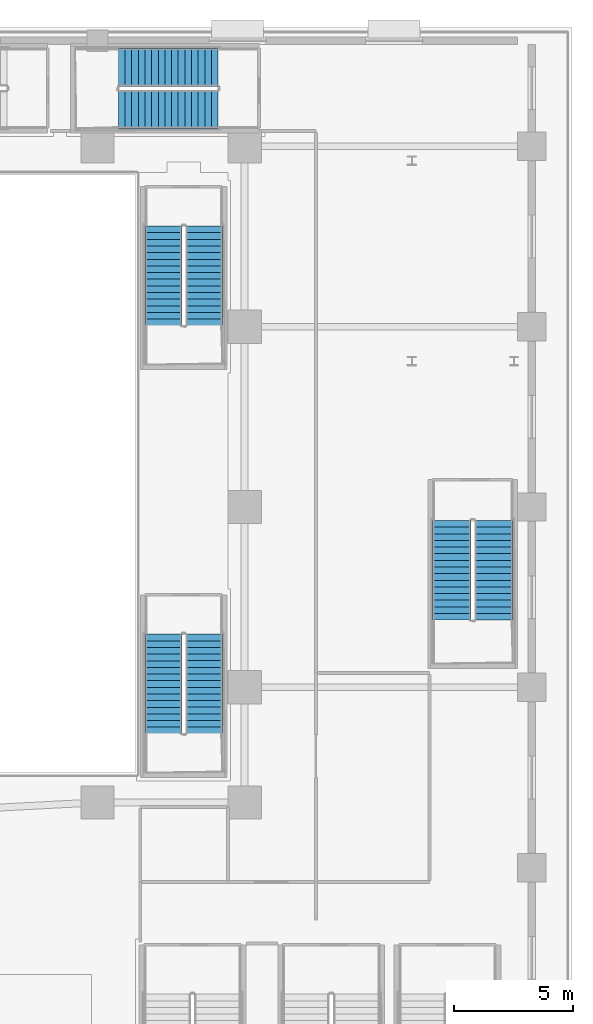
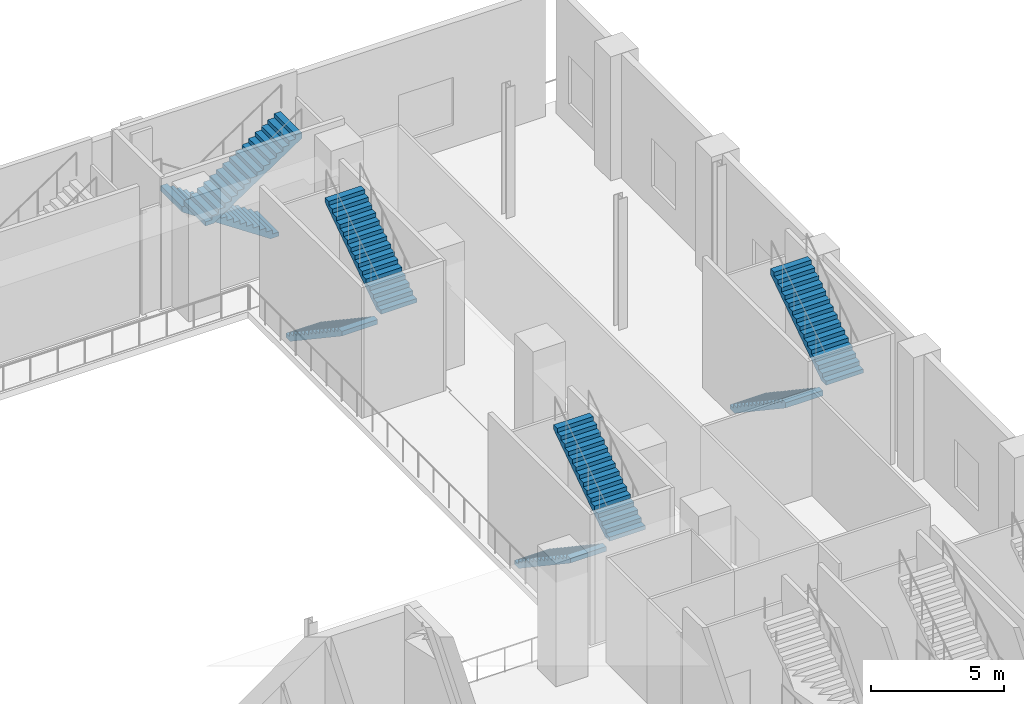
# One storey, part 14 of 29: 8 stair flights, 4 elements without a shape of their own.
"""IFC4 building model written with IfcOpenShell, lengths in metres."""

import ifcopenshell
import ifcopenshell.guid

model = None  # the IFC model being written
_history = None  # IfcOwnerHistory: only IFC2X3 demands one
_inside = {}  # id of a spatial element -> (the spatial element, [elements in it])
_under = {}  # id of a project, library or spatial element -> (it, [spatial elements below it])
_declared = {}  # id of a project -> (the project, [libraries it declares])
_typed = {}  # id of a type object -> (the type object, [elements of that type])
_made_of = {}  # id of a material, layer set ... -> (it, [elements and type objects made of it])


def new_model(schema):
    """Start an empty IFC model of exactly this schema.

    Asked for "IFC4X3", IfcOpenShell would pick the latest addendum, in which some entities
    have other attributes; the version numbers below select the first issue.
    IFC2X3 requires an IfcOwnerHistory on every rooted entity: one is made here for all.
    """
    global model, _history
    if schema == "IFC4X3":
        model = ifcopenshell.file(schema_version=(4, 3, 0, 0))
    else:
        model = ifcopenshell.file(schema=schema)
    _inside.clear()
    _under.clear()
    _declared.clear()
    _typed.clear()
    _made_of.clear()
    _history = None
    if model.schema == "IFC2X3":
        org = make("IfcOrganization", Name="unknown")
        user = make(
            "IfcPersonAndOrganization",
            ThePerson=make("IfcPerson", FamilyName="unknown"),
            TheOrganization=org,
        )
        app = make(
            "IfcApplication",
            ApplicationDeveloper=org,
            Version="unknown",
            ApplicationFullName="unknown",
            ApplicationIdentifier="unknown",
        )
        _history = make(
            "IfcOwnerHistory",
            OwningUser=user,
            OwningApplication=app,
            ChangeAction="ADDED",
            CreationDate=0,
        )
    return model


def make(cls, **values):
    """One entity of the class cls with the attributes given. An attribute that is None is left unset."""
    return model.create_entity(
        cls, **{name: value for name, value in values.items() if value is not None}
    )


def rooted(cls, **values):
    """An entity with a GlobalId (a new one), such as an element, a storey or a relation."""
    return make(cls, GlobalId=ifcopenshell.guid.new(), OwnerHistory=_history, **values)


def si_unit(unit_type, name, prefix=None):
    """IfcSIUnit, for example si_unit("LENGTHUNIT", "METRE", prefix="MILLI")."""
    return make("IfcSIUnit", UnitType=unit_type, Prefix=prefix, Name=name)


def assignment(units):
    """IfcUnitAssignment: the units of a project."""
    return None if units is None else make("IfcUnitAssignment", Units=units)


def point(xyz):
    """IfcCartesianPoint."""
    return None if xyz is None else make("IfcCartesianPoint", Coordinates=xyz)


def direction(xyz):
    """IfcDirection."""
    return None if xyz is None else make("IfcDirection", DirectionRatios=xyz)


def frame(location, z_axis=None, x_axis=None):
    """IfcAxis2Placement3D, a coordinate frame: its origin and axes. An axis left out is left unset."""
    return make(
        "IfcAxis2Placement3D",
        Location=point(location),
        Axis=direction(z_axis),
        RefDirection=direction(x_axis),
    )


def origin():
    """The frame at (0, 0, 0) with its axes left unset."""
    return frame((0.0, 0.0, 0.0))


def place(relative_to, where):
    """IfcLocalPlacement: puts the frame where relative to a parent placement (None: the world)."""
    return make(
        "IfcLocalPlacement", PlacementRelTo=relative_to, RelativePlacement=where
    )


def context(
    kind, dimensions, precision=None, world=None, true_north=None, identifier=None
):
    """IfcGeometricRepresentationContext, for example the 3D "Model" context."""
    return make(
        "IfcGeometricRepresentationContext",
        ContextIdentifier=identifier,
        ContextType=kind,
        CoordinateSpaceDimension=dimensions,
        Precision=precision,
        WorldCoordinateSystem=world,
        TrueNorth=true_north,
    )


def subcontext(parent, identifier, kind, view, scale=None):
    """IfcGeometricRepresentationSubContext, for example "Body" below "Model"."""
    return make(
        "IfcGeometricRepresentationSubContext",
        ContextIdentifier=identifier,
        ContextType=kind,
        ParentContext=parent,
        TargetScale=scale,
        TargetView=view,
    )


def project(units=None, contexts=None):
    """IfcProject with its units and contexts."""
    return rooted(
        "IfcProject",
        Name="project",
        RepresentationContexts=contexts,
        UnitsInContext=assignment(units),
    )


def spatial(cls, under=None, at=None, **own):
    """A site, building, storey or space (cls), placed at a placement, below another one or the project."""
    s = rooted(cls, ObjectPlacement=at, **own)
    if under is not None:
        _under.setdefault(under.id(), (under, []))[1].append(s)
    return s


def polyline(points):
    """IfcPolyline through the points."""
    return make("IfcPolyline", Points=[point(p) for p in points])


def outline(outer, holes=None, kind="AREA"):
    """IfcArbitraryClosedProfileDef: a profile drawn as a closed curve; with holes, ...WithVoids."""
    if holes is None:
        return make("IfcArbitraryClosedProfileDef", ProfileType=kind, OuterCurve=outer)
    return make(
        "IfcArbitraryProfileDefWithVoids",
        ProfileType=kind,
        OuterCurve=outer,
        InnerCurves=holes,
    )


def extrude(swept, where, along, depth):
    """IfcExtrudedAreaSolid: the profile swept, set in the frame where, extruded along a direction by depth."""
    return make(
        "IfcExtrudedAreaSolid",
        SweptArea=swept,
        Position=where,
        ExtrudedDirection=direction(along),
        Depth=depth,
    )


def shape(context_of_items, identifier, shape_type, items):
    """IfcShapeRepresentation: the items that make up one representation, for example the "Body"."""
    return make(
        "IfcShapeRepresentation",
        ContextOfItems=context_of_items,
        RepresentationIdentifier=identifier,
        RepresentationType=shape_type,
        Items=items,
    )


def material(Name=None, Category=None):
    """IfcMaterial."""
    return make("IfcMaterial", Name=Name, Category=Category)


def made_of(thing, what):
    """Note that an element or type object is made of a material, layer set ...; save() writes the relation."""
    if what is not None:
        _made_of.setdefault(what.id(), (what, []))[1].append(thing)
    return thing


def type_object(cls, material=None, **own):
    """A type object (cls), such as IfcWallType, which elements share."""
    return made_of(rooted(cls, **own), material)


def element(
    cls,
    number,
    at=None,
    inside=None,
    cuts=None,
    type_object=None,
    material=None,
    context=None,
    identifier="Body",
    shape_type=None,
    held_by="IfcProductDefinitionShape",
    body=None,
    shapes=None,
    **own,
):
    """One element of the class cls, such as IfcWall. Its Tag is "e" and its number.

    at: its placement. inside: the storey or other place that contains it. cuts: it is an
    opening in that element (IfcRelVoidsElement). A single representation is given by context,
    identifier, shape_type and body (its items); several are given by shapes. held_by: the class
    of the entity that holds the representations. save() writes the other relations.
    """
    e = rooted(cls, Tag="e%d" % number, ObjectPlacement=at, **own)
    if body is not None:
        shapes = [shape(context, identifier, shape_type, body)]
    if shapes is not None:
        e.Representation = make(held_by, Representations=shapes)
    if inside is not None:
        _inside.setdefault(inside.id(), (inside, []))[1].append(e)
    if cuts is not None:
        rooted(
            "IfcRelVoidsElement", RelatingBuildingElement=cuts, RelatedOpeningElement=e
        )
    if type_object is not None:
        _typed.setdefault(type_object.id(), (type_object, []))[1].append(e)
    return made_of(e, material)


def aggregate(whole, parts):
    """IfcRelAggregates: a whole, such as a stair, and the parts it consists of."""
    return rooted("IfcRelAggregates", RelatingObject=whole, RelatedObjects=parts)


def save(model, path):
    """Write the relations noted so far, then the file.

    IfcRelAggregates (storeys below a building ...), IfcRelContainedInSpatialStructure (elements
    in a storey), IfcRelDefinesByType, IfcRelAssociatesMaterial and IfcRelDeclares: one each for
    every whole, place, type object, material and project.
    """
    for whole, parts in _under.values():
        aggregate(whole, parts)
    for where, things in _inside.values():
        rooted(
            "IfcRelContainedInSpatialStructure",
            RelatedElements=things,
            RelatingStructure=where,
        )
    for kind, things in _typed.values():
        rooted("IfcRelDefinesByType", RelatedObjects=things, RelatingType=kind)
    for what, things in _made_of.values():
        rooted("IfcRelAssociatesMaterial", RelatedObjects=things, RelatingMaterial=what)
    for by, libraries in _declared.values():
        rooted("IfcRelDeclares", RelatingContext=by, RelatedDefinitions=libraries)
    model.write(path)


model = new_model("IFC4")

# Units and contexts
model_context = context("Model", 3, precision=1e-05, world=origin(), true_north=direction((0.0, 1.0)))
body_context = subcontext(model_context, "Body", "Model", "MODEL_VIEW")
ifc_project = project(units=[si_unit("LENGTHUNIT", "METRE"), si_unit("AREAUNIT", "SQUARE_METRE"), si_unit("VOLUMEUNIT", "CUBIC_METRE"), si_unit("PLANEANGLEUNIT", "RADIAN"), si_unit("MASSUNIT", "GRAM", prefix="KILO")], contexts=[model_context])

# Site, building, storey
site_placement = place(None, origin())
site = spatial("IfcSite", under=ifc_project, at=site_placement, CompositionType="ELEMENT")
building_placement = place(site_placement, origin())
building = spatial("IfcBuilding", under=site, at=building_placement, Name="Ndaravel Arena Tower", CompositionType="ELEMENT")
storey_placement = place(building_placement, frame((0.0, 0.0, 12.0)))
storey = spatial("IfcBuildingStorey", under=building, at=storey_placement, Name="L02", CompositionType="ELEMENT", Elevation=12.0)

# Stair, stair flights
ifc_material_1 = material(Name="Concrete C40/50", Category="concrete")
stair_type_1 = type_object("IfcStairType", Name="STAIR-POD-QT", PredefinedType="QUARTER_TURN_STAIR", material=ifc_material_1)
stair_1_placement = place(storey_placement, origin())
stair_1 = element("IfcStair", 1, at=stair_1_placement, inside=storey, type_object=stair_type_1, Name="L02 ST-A11", PredefinedType="QUARTER_TURN_STAIR")
ifc_material_2 = material(Name="Concrete C40/50", Category="concrete")
stair_flight_type_1 = type_object("IfcStairFlightType", Name="SFLIGHT-ARENA-1980", PredefinedType="STRAIGHT", material=ifc_material_2)
stair_flight_1_placement = place(storey_placement, frame((69.080078125, 46.330078125, 0.0), z_axis=(0.0, 0.0, 1.0), x_axis=(-1.0, 0.0, 0.0)))
stair_flight_1 = element("IfcStairFlight", 2, at=stair_flight_1_placement, type_object=stair_flight_type_1, Name="ST-A11 flight 1", NumberOfRisers=16, NumberOfTreads=15, PredefinedType="STRAIGHT", RiserHeight=0.1875, TreadLength=0.28, context=body_context, shape_type="SweptSolid", body=[
    extrude(outline(polyline([(0.0, 0.0), (0.0, 0.1875), (0.280029296875, 0.1875), (0.280029296875, 0.375), (0.56005859375, 0.375), (0.56005859375, 0.5625), (0.840087890625, 0.5625), (0.840087890625, 0.75), (1.1201171875, 0.75), (1.1201171875, 0.9375), (1.39990234375, 0.9375), (1.39990234375, 1.125), (1.679931640625, 1.125), (1.679931640625, 1.3125), (1.9599609375, 1.3125), (1.9599609375, 1.5), (2.239990234375, 1.5), (2.239990234375, 1.6875), (2.52001953125, 1.6875), (2.52001953125, 1.875), (2.800048828125, 1.875), (2.800048828125, 2.0625), (3.080078125, 2.0625), (3.080078125, 2.25), (3.360107421875, 2.25), (3.360107421875, 2.4375), (3.639892578125, 2.4375), (3.639892578125, 2.625), (3.919921875, 2.625), (3.919921875, 2.8125), (4.199951171875, 2.8125), (4.199951171875, 3.0), (4.199951171875, 2.57177734375), (0.359375, 0.0), (0.0, 0.0)])), frame((0.0, 0.81005859375, 0.0), z_axis=(0.0, -1.0, 0.0), x_axis=(1.0, 0.0, 0.0)), (0.0, 0.0, 1.0), 1.6201171875),
])
stair_flight_2_placement = place(storey_placement, frame((64.8798828125, 44.570068359375, 3.0), z_axis=(0.0, 0.0, 1.0), x_axis=(1.0, 0.0, 0.0)))
stair_flight_2 = element("IfcStairFlight", 3, at=stair_flight_2_placement, type_object=stair_flight_type_1, Name="ST-A11 flight 2", NumberOfRisers=16, NumberOfTreads=15, PredefinedType="STRAIGHT", RiserHeight=0.1875, TreadLength=0.28, context=body_context, shape_type="SweptSolid", body=[
    extrude(outline(polyline([(0.0, 0.0), (0.0, 0.1875), (0.280029296875, 0.1875), (0.280029296875, 0.375), (0.56005859375, 0.375), (0.56005859375, 0.5625), (0.840087890625, 0.5625), (0.840087890625, 0.75), (1.1201171875, 0.75), (1.1201171875, 0.9375), (1.39990234375, 0.9375), (1.39990234375, 1.125), (1.679931640625, 1.125), (1.679931640625, 1.3125), (1.9599609375, 1.3125), (1.9599609375, 1.5), (2.239990234375, 1.5), (2.239990234375, 1.6875), (2.52001953125, 1.6875), (2.52001953125, 1.875), (2.800048828125, 1.875), (2.800048828125, 2.0625), (3.080078125, 2.0625), (3.080078125, 2.25), (3.360107421875, 2.25), (3.360107421875, 2.4375), (3.639892578125, 2.4375), (3.639892578125, 2.625), (3.919921875, 2.625), (3.919921875, 2.8125), (4.199951171875, 2.8125), (4.199951171875, 3.0), (4.199951171875, 2.57177734375), (0.359375, 0.0), (0.0, 0.0)])), frame((0.0, 0.81005859375, 0.0), z_axis=(0.0, -1.0, 0.0), x_axis=(1.0, 0.0, 0.0)), (0.0, 0.0, 1.0), 1.6201171875),
])
aggregate(stair_1, [stair_flight_1, stair_flight_2])

stair_2_placement = place(storey_placement, origin())
stair_2 = element("IfcStair", 4, at=stair_2_placement, inside=storey, type_object=stair_type_1, Name="L02 ST-A12", PredefinedType="QUARTER_TURN_STAIR")
stair_flight_3_placement = place(storey_placement, frame((78.929931640625, 27.22998046875, 0.0), z_axis=(0.0, 0.0, 1.0), x_axis=(0.0, -1.0, 0.0)))
stair_flight_3 = element("IfcStairFlight", 5, at=stair_flight_3_placement, type_object=stair_flight_type_1, Name="ST-A12 flight 1", NumberOfRisers=16, NumberOfTreads=15, PredefinedType="STRAIGHT", RiserHeight=0.1875, TreadLength=0.28, context=body_context, shape_type="SweptSolid", body=[
    extrude(outline(polyline([(0.0, 0.0), (0.0, 0.1875), (0.280029296875, 0.1875), (0.280029296875, 0.375), (0.56005859375, 0.375), (0.56005859375, 0.5625), (0.840087890625, 0.5625), (0.840087890625, 0.75), (1.1201171875, 0.75), (1.1201171875, 0.9375), (1.39990234375, 0.9375), (1.39990234375, 1.125), (1.679931640625, 1.125), (1.679931640625, 1.3125), (1.9599609375, 1.3125), (1.9599609375, 1.5), (2.239990234375, 1.5), (2.239990234375, 1.6875), (2.52001953125, 1.6875), (2.52001953125, 1.875), (2.800048828125, 1.875), (2.800048828125, 2.0625), (3.080078125, 2.0625), (3.080078125, 2.25), (3.360107421875, 2.25), (3.360107421875, 2.4375), (3.639892578125, 2.4375), (3.639892578125, 2.625), (3.919921875, 2.625), (3.919921875, 2.8125), (4.199951171875, 2.8125), (4.199951171875, 3.0), (4.199951171875, 2.57177734375), (0.359375, 0.0), (0.0, 0.0)])), frame((0.0, 0.81005859375, 0.0), z_axis=(0.0, -1.0, 0.0), x_axis=(1.0, 0.0, 0.0)), (0.0, 0.0, 1.0), 1.6201171875),
])
stair_flight_4_placement = place(storey_placement, frame((80.68994140625, 23.030029296875, 3.0), z_axis=(0.0, 0.0, 1.0), x_axis=(0.0, 1.0, 0.0)))
stair_flight_4 = element("IfcStairFlight", 6, at=stair_flight_4_placement, type_object=stair_flight_type_1, Name="ST-A12 flight 2", NumberOfRisers=16, NumberOfTreads=15, PredefinedType="STRAIGHT", RiserHeight=0.1875, TreadLength=0.28, context=body_context, shape_type="SweptSolid", body=[
    extrude(outline(polyline([(0.0, 0.0), (0.0, 0.1875), (0.280029296875, 0.1875), (0.280029296875, 0.375), (0.56005859375, 0.375), (0.56005859375, 0.5625), (0.840087890625, 0.5625), (0.840087890625, 0.75), (1.1201171875, 0.75), (1.1201171875, 0.9375), (1.39990234375, 0.9375), (1.39990234375, 1.125), (1.679931640625, 1.125), (1.679931640625, 1.3125), (1.9599609375, 1.3125), (1.9599609375, 1.5), (2.239990234375, 1.5), (2.239990234375, 1.6875), (2.52001953125, 1.6875), (2.52001953125, 1.875), (2.800048828125, 1.875), (2.800048828125, 2.0625), (3.080078125, 2.0625), (3.080078125, 2.25), (3.360107421875, 2.25), (3.360107421875, 2.4375), (3.639892578125, 2.4375), (3.639892578125, 2.625), (3.919921875, 2.625), (3.919921875, 2.8125), (4.199951171875, 2.8125), (4.199951171875, 3.0), (4.199951171875, 2.57177734375), (0.359375, 0.0), (0.0, 0.0)])), frame((0.0, 0.81005859375, 0.0), z_axis=(0.0, -1.0, 0.0), x_axis=(1.0, 0.0, 0.0)), (0.0, 0.0, 1.0), 1.6201171875),
])
aggregate(stair_2, [stair_flight_3, stair_flight_4])

ifc_material_3 = material(Name="Concrete C40/50", Category="concrete")
stair_type_2 = type_object("IfcStairType", Name="STAIR-VOM-STR", PredefinedType="STRAIGHT_RUN_STAIR", material=ifc_material_3)
stair_3_placement = place(storey_placement, origin())
stair_3 = element("IfcStair", 7, at=stair_3_placement, inside=storey, type_object=stair_type_2, Name="L02 ST-VOM-3", PredefinedType="STRAIGHT_RUN_STAIR")
ifc_material_4 = material(Name="Concrete C40/50", Category="concrete")
stair_flight_type_2 = type_object("IfcStairFlightType", Name="SFLIGHT-VOM-1350", PredefinedType="STRAIGHT", material=ifc_material_4)
stair_flight_5_placement = place(storey_placement, frame((66.780029296875, 22.43994140625, 0.0), z_axis=(0.0, 0.0, 1.0), x_axis=(0.0, -1.0, 0.0)))
stair_flight_5 = element("IfcStairFlight", 8, at=stair_flight_5_placement, type_object=stair_flight_type_2, Name="ST-VOM-3 flight 1", NumberOfRisers=16, NumberOfTreads=15, PredefinedType="STRAIGHT", RiserHeight=0.1875, TreadLength=0.28, context=body_context, shape_type="SweptSolid", body=[
    extrude(outline(polyline([(0.0, 0.0), (0.0, 0.1875), (0.280029296875, 0.1875), (0.280029296875, 0.375), (0.56005859375, 0.375), (0.56005859375, 0.5625), (0.840087890625, 0.5625), (0.840087890625, 0.75), (1.1201171875, 0.75), (1.1201171875, 0.9375), (1.39990234375, 0.9375), (1.39990234375, 1.125), (1.679931640625, 1.125), (1.679931640625, 1.3125), (1.9599609375, 1.3125), (1.9599609375, 1.5), (2.239990234375, 1.5), (2.239990234375, 1.6875), (2.52001953125, 1.6875), (2.52001953125, 1.875), (2.800048828125, 1.875), (2.800048828125, 2.0625), (3.080078125, 2.0625), (3.080078125, 2.25), (3.360107421875, 2.25), (3.360107421875, 2.4375), (3.639892578125, 2.4375), (3.639892578125, 2.625), (3.919921875, 2.625), (3.919921875, 2.8125), (4.199951171875, 2.8125), (4.199951171875, 3.0), (4.199951171875, 2.595947265625), (0.323486328125, 0.0), (0.0, 0.0)])), frame((0.0, 0.780029296875, 0.0), z_axis=(0.0, -1.0, 0.0), x_axis=(1.0, 0.0, 0.0)), (0.0, 0.0, 1.0), 1.56005859375),
])
stair_flight_6_placement = place(storey_placement, frame((68.47998046875, 18.239990234375, 3.0), z_axis=(0.0, 0.0, 1.0), x_axis=(0.0, 1.0, 0.0)))
stair_flight_6 = element("IfcStairFlight", 9, at=stair_flight_6_placement, type_object=stair_flight_type_2, Name="ST-VOM-3 flight 2", NumberOfRisers=16, NumberOfTreads=15, PredefinedType="STRAIGHT", RiserHeight=0.1875, TreadLength=0.28, context=body_context, shape_type="SweptSolid", body=[
    extrude(outline(polyline([(0.0, 0.0), (0.0, 0.1875), (0.280029296875, 0.1875), (0.280029296875, 0.375), (0.56005859375, 0.375), (0.56005859375, 0.5625), (0.840087890625, 0.5625), (0.840087890625, 0.75), (1.1201171875, 0.75), (1.1201171875, 0.9375), (1.39990234375, 0.9375), (1.39990234375, 1.125), (1.679931640625, 1.125), (1.679931640625, 1.3125), (1.9599609375, 1.3125), (1.9599609375, 1.5), (2.239990234375, 1.5), (2.239990234375, 1.6875), (2.52001953125, 1.6875), (2.52001953125, 1.875), (2.800048828125, 1.875), (2.800048828125, 2.0625), (3.080078125, 2.0625), (3.080078125, 2.25), (3.360107421875, 2.25), (3.360107421875, 2.4375), (3.639892578125, 2.4375), (3.639892578125, 2.625), (3.919921875, 2.625), (3.919921875, 2.8125), (4.199951171875, 2.8125), (4.199951171875, 3.0), (4.199951171875, 2.595947265625), (0.323486328125, 0.0), (0.0, 0.0)])), frame((0.0, 0.780029296875, 0.0), z_axis=(0.0, -1.0, 0.0), x_axis=(1.0, 0.0, 0.0)), (0.0, 0.0, 1.0), 1.56005859375),
])
aggregate(stair_3, [stair_flight_5, stair_flight_6])

stair_4_placement = place(storey_placement, origin())
stair_4 = element("IfcStair", 10, at=stair_4_placement, inside=storey, type_object=stair_type_2, Name="L02 ST-VOM-4", PredefinedType="STRAIGHT_RUN_STAIR")
stair_flight_7_placement = place(storey_placement, frame((66.780029296875, 39.639892578125, 0.0), z_axis=(0.0, 0.0, 1.0), x_axis=(0.0, -1.0, 0.0)))
stair_flight_7 = element("IfcStairFlight", 11, at=stair_flight_7_placement, type_object=stair_flight_type_2, Name="ST-VOM-4 flight 1", NumberOfRisers=16, NumberOfTreads=15, PredefinedType="STRAIGHT", RiserHeight=0.1875, TreadLength=0.28, context=body_context, shape_type="SweptSolid", body=[
    extrude(outline(polyline([(0.0, 0.0), (0.0, 0.1875), (0.280029296875, 0.1875), (0.280029296875, 0.375), (0.56005859375, 0.375), (0.56005859375, 0.5625), (0.840087890625, 0.5625), (0.840087890625, 0.75), (1.1201171875, 0.75), (1.1201171875, 0.9375), (1.39990234375, 0.9375), (1.39990234375, 1.125), (1.679931640625, 1.125), (1.679931640625, 1.3125), (1.9599609375, 1.3125), (1.9599609375, 1.5), (2.239990234375, 1.5), (2.239990234375, 1.6875), (2.52001953125, 1.6875), (2.52001953125, 1.875), (2.800048828125, 1.875), (2.800048828125, 2.0625), (3.080078125, 2.0625), (3.080078125, 2.25), (3.360107421875, 2.25), (3.360107421875, 2.4375), (3.639892578125, 2.4375), (3.639892578125, 2.625), (3.919921875, 2.625), (3.919921875, 2.8125), (4.199951171875, 2.8125), (4.199951171875, 3.0), (4.199951171875, 2.595947265625), (0.323486328125, 0.0), (0.0, 0.0)])), frame((0.0, 0.780029296875, 0.0), z_axis=(0.0, -1.0, 0.0), x_axis=(1.0, 0.0, 0.0)), (0.0, 0.0, 1.0), 1.56005859375),
])
stair_flight_8_placement = place(storey_placement, frame((68.47998046875, 35.43994140625, 3.0), z_axis=(0.0, 0.0, 1.0), x_axis=(0.0, 1.0, 0.0)))
stair_flight_8 = element("IfcStairFlight", 12, at=stair_flight_8_placement, type_object=stair_flight_type_2, Name="ST-VOM-4 flight 2", NumberOfRisers=16, NumberOfTreads=15, PredefinedType="STRAIGHT", RiserHeight=0.1875, TreadLength=0.28, context=body_context, shape_type="SweptSolid", body=[
    extrude(outline(polyline([(0.0, 0.0), (0.0, 0.1875), (0.280029296875, 0.1875), (0.280029296875, 0.375), (0.56005859375, 0.375), (0.56005859375, 0.5625), (0.840087890625, 0.5625), (0.840087890625, 0.75), (1.1201171875, 0.75), (1.1201171875, 0.9375), (1.39990234375, 0.9375), (1.39990234375, 1.125), (1.679931640625, 1.125), (1.679931640625, 1.3125), (1.9599609375, 1.3125), (1.9599609375, 1.5), (2.239990234375, 1.5), (2.239990234375, 1.6875), (2.52001953125, 1.6875), (2.52001953125, 1.875), (2.800048828125, 1.875), (2.800048828125, 2.0625), (3.080078125, 2.0625), (3.080078125, 2.25), (3.360107421875, 2.25), (3.360107421875, 2.4375), (3.639892578125, 2.4375), (3.639892578125, 2.625), (3.919921875, 2.625), (3.919921875, 2.8125), (4.199951171875, 2.8125), (4.199951171875, 3.0), (4.199951171875, 2.595947265625), (0.323486328125, 0.0), (0.0, 0.0)])), frame((0.0, 0.780029296875, 0.0), z_axis=(0.0, -1.0, 0.0), x_axis=(1.0, 0.0, 0.0)), (0.0, 0.0, 1.0), 1.56005859375),
])
aggregate(stair_4, [stair_flight_7, stair_flight_8])

save(model, "model.ifc")
